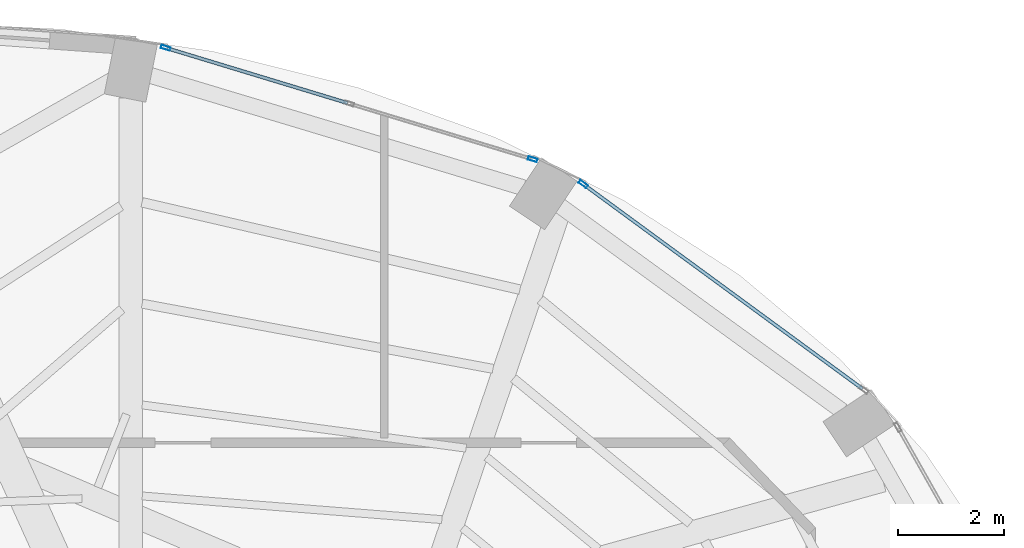
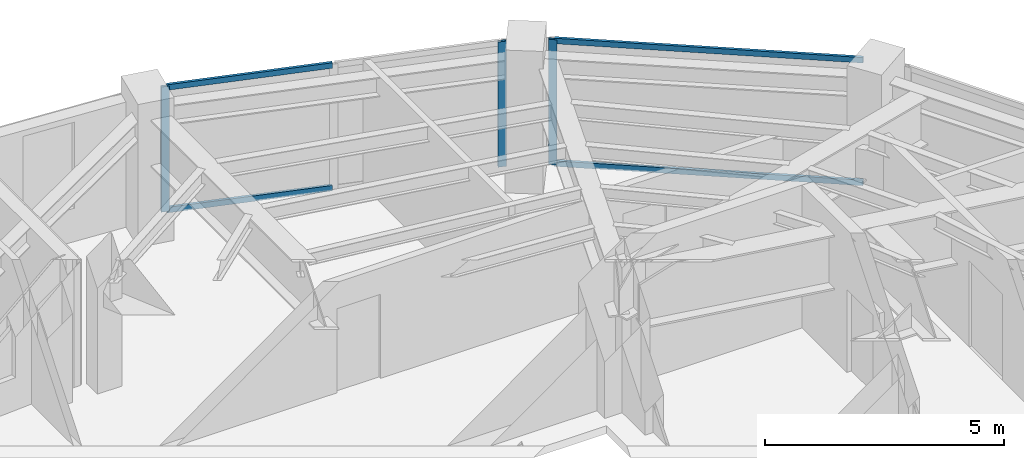
# One storey, part 18 of 23: 7 members, 2 elements without a shape of their own.
"""IFC4 building model written with IfcOpenShell, lengths in metres."""

from ifc_helpers import new_model, si_unit, direction, frame, origin, origin_2d, place, context, subcontext, project, spatial, hollow_rectangle, extrude, material, layer, layer_set, material_profile, profile_set, type_object, element, aggregate, save


model = new_model("IFC4")

# Units and contexts
model_context = context("Model", 3, precision=1e-05, world=origin(), true_north=direction((0.0, 1.0)))
body_context = subcontext(model_context, "Body", "Model", "MODEL_VIEW")
ifc_project = project(units=[si_unit("LENGTHUNIT", "METRE"), si_unit("AREAUNIT", "SQUARE_METRE"), si_unit("VOLUMEUNIT", "CUBIC_METRE"), si_unit("PLANEANGLEUNIT", "RADIAN"), si_unit("MASSUNIT", "GRAM", prefix="KILO")], contexts=[model_context])

# Site, building, storey
site_placement = place(None, origin())
site = spatial("IfcSite", under=ifc_project, at=site_placement, CompositionType="ELEMENT")
building_placement = place(site_placement, origin())
building = spatial("IfcBuilding", under=site, at=building_placement, Name="Lazwardi Medical Tower", CompositionType="ELEMENT")
storey_placement = place(building_placement, frame((0.0, 0.0, 265.968017578125)))
storey = spatial("IfcBuildingStorey", under=building, at=storey_placement, Name="L69", CompositionType="ELEMENT", Elevation=265.968017578125)

# Curtain wall, member
ifc_material_1 = material(Name="Anodised bronze aluminium and solar control glazing", Category="aluminium")
ifc_layer = layer(ifc_material_1, 0.18994140625)
ifc_layer_set = layer_set([ifc_layer], Name="Anodised bronze aluminium and solar control glazing")
curtain_wall_type = type_object("IfcCurtainWallType", Name="CW-SYS-04", PredefinedType="NOTDEFINED", material=ifc_layer_set)
curtain_wall_1_placement = place(storey_placement, origin())
curtain_wall_1 = element("IfcCurtainWall", 1, at=curtain_wall_1_placement, inside=storey, type_object=curtain_wall_type, Name="L69 Unitised bronze curtain wall CW-04", PredefinedType="NOTDEFINED")
ifc_material_2 = material(Name="Anodised bronze aluminium", Category="aluminium")
ifc_material_profile_1 = material_profile(ifc_material_2, hollow_rectangle(XDim=0.06494140625, YDim=0.179931640625, WallThickness=0.00390625, at=origin_2d()), Name="ALU-MULLION 180x65x4")
ifc_profile_set_1 = profile_set([ifc_material_profile_1], Name="Anodised bronze aluminium")
member_type_1 = type_object("IfcMemberType", Name="CW-MUL-03", PredefinedType="MULLION", material=ifc_profile_set_1)
member_1_placement = place(storey_placement, frame((48.75537109375, 43.634765625, 0.0), z_axis=(0.0, 0.0, 1.0), x_axis=(-0.591268230971, -0.806474971121, 0.0)))
member_1 = element("IfcMember", 2, at=member_1_placement, type_object=member_type_1, Name="CW-04 mullion 2", PredefinedType="MULLION", context=body_context, shape_type="SweptSolid", body=[
    extrude(hollow_rectangle(XDim=0.06494140625, YDim=0.179931640625, WallThickness=0.00390625, at=origin_2d()), origin(), (0.0, 0.0, 1.0), 3.197998046875),
])

# Curtain wall, members
curtain_wall_2_placement = place(storey_placement, origin())
curtain_wall_2 = element("IfcCurtainWall", 3, at=curtain_wall_2_placement, inside=storey, type_object=curtain_wall_type, Name="L69 Unitised bronze curtain wall CW-04", PredefinedType="NOTDEFINED")
member_2_placement = place(storey_placement, frame((47.7998046875, 44.103515625, 0.0), z_axis=(0.0, 0.0, 1.0), x_axis=(-0.290581889515, -0.956850126972, 0.0)))
member_2 = element("IfcMember", 4, at=member_2_placement, type_object=member_type_1, Name="CW-04 mullion 1", PredefinedType="MULLION", context=body_context, shape_type="SweptSolid", body=[
    extrude(hollow_rectangle(XDim=0.06494140625, YDim=0.179931640625, WallThickness=0.00390625, at=origin_2d()), origin(), (0.0, 0.0, 1.0), 3.197998046875),
])
member_3_placement = place(storey_placement, frame((40.873046875, 46.20703125, 0.0), z_axis=(0.0, 0.0, 1.0), x_axis=(-0.290581889515, -0.956850126972, 0.0)))
member_3 = element("IfcMember", 5, at=member_3_placement, type_object=member_type_1, Name="CW-04 mullion 3", PredefinedType="MULLION", context=body_context, shape_type="SweptSolid", body=[
    extrude(hollow_rectangle(XDim=0.06494140625, YDim=0.179931640625, WallThickness=0.00390625, at=origin_2d()), origin(), (0.0, 0.0, 1.0), 3.197998046875),
])

# Member
ifc_material_profile_2 = material_profile(ifc_material_2, hollow_rectangle(XDim=0.06494140625, YDim=0.139892578125, WallThickness=0.00341796875, at=origin_2d()), Name="ALU-TRANSOM 140x65x3.5")
ifc_profile_set_2 = profile_set([ifc_material_profile_2], Name="Anodised bronze aluminium")
member_type_2 = type_object("IfcMemberType", Name="CW-TRN-03", PredefinedType="USERDEFINED", material=ifc_profile_set_2)
member_4_placement = place(storey_placement, frame((54.02587890625, 39.770751953125, 0.032470703125), z_axis=(-0.806471831148, 0.591272513791, 0.0), x_axis=(-0.591272513791, -0.806471831148, 0.0)))
member_4 = element("IfcMember", 6, at=member_4_placement, type_object=member_type_2, Name="CW-04 transom 1.1", ObjectType="TRANSOM", PredefinedType="USERDEFINED", context=body_context, shape_type="SweptSolid", body=[
    extrude(hollow_rectangle(XDim=0.06494140625, YDim=0.139892578125, WallThickness=0.00341796875, at=origin_2d()), origin(), (0.0, 0.0, 1.0), 6.5029296875),
])

member_5_placement = place(storey_placement, frame((54.02587890625, 39.770751953125, 3.16552734375), z_axis=(-0.806471831148, 0.591272513791, 0.0), x_axis=(-0.591272513791, -0.806471831148, 0.0)))
member_5 = element("IfcMember", 7, at=member_5_placement, type_object=member_type_2, Name="CW-04 transom 1.2", ObjectType="TRANSOM", PredefinedType="USERDEFINED", context=body_context, shape_type="SweptSolid", body=[
    extrude(hollow_rectangle(XDim=0.06494140625, YDim=0.139892578125, WallThickness=0.00341796875, at=origin_2d()), origin(), (0.0, 0.0, 1.0), 6.5029296875),
])

aggregate(curtain_wall_1, [member_1, member_4, member_5])

member_6_placement = place(storey_placement, frame((44.305419921875, 45.164794921875, 0.032470703125), z_axis=(-0.956862505902, 0.290541124109, 0.0), x_axis=(-0.290541124109, -0.956862505902, 0.0)))
member_6 = element("IfcMember", 8, at=member_6_placement, type_object=member_type_2, Name="CW-04 transom 2.1", ObjectType="TRANSOM", PredefinedType="USERDEFINED", context=body_context, shape_type="SweptSolid", body=[
    extrude(hollow_rectangle(XDim=0.06494140625, YDim=0.139892578125, WallThickness=0.00341796875, at=origin_2d()), origin(), (0.0, 0.0, 1.0), 3.554443359375),
])

member_7_placement = place(storey_placement, frame((44.305419921875, 45.164794921875, 3.16552734375), z_axis=(-0.956862505902, 0.290541124109, 0.0), x_axis=(-0.290541124109, -0.956862505902, 0.0)))
member_7 = element("IfcMember", 9, at=member_7_placement, type_object=member_type_2, Name="CW-04 transom 2.2", ObjectType="TRANSOM", PredefinedType="USERDEFINED", context=body_context, shape_type="SweptSolid", body=[
    extrude(hollow_rectangle(XDim=0.06494140625, YDim=0.139892578125, WallThickness=0.00341796875, at=origin_2d()), origin(), (0.0, 0.0, 1.0), 3.554443359375),
])

aggregate(curtain_wall_2, [member_2, member_3, member_6, member_7])

save(model, "model.ifc")
